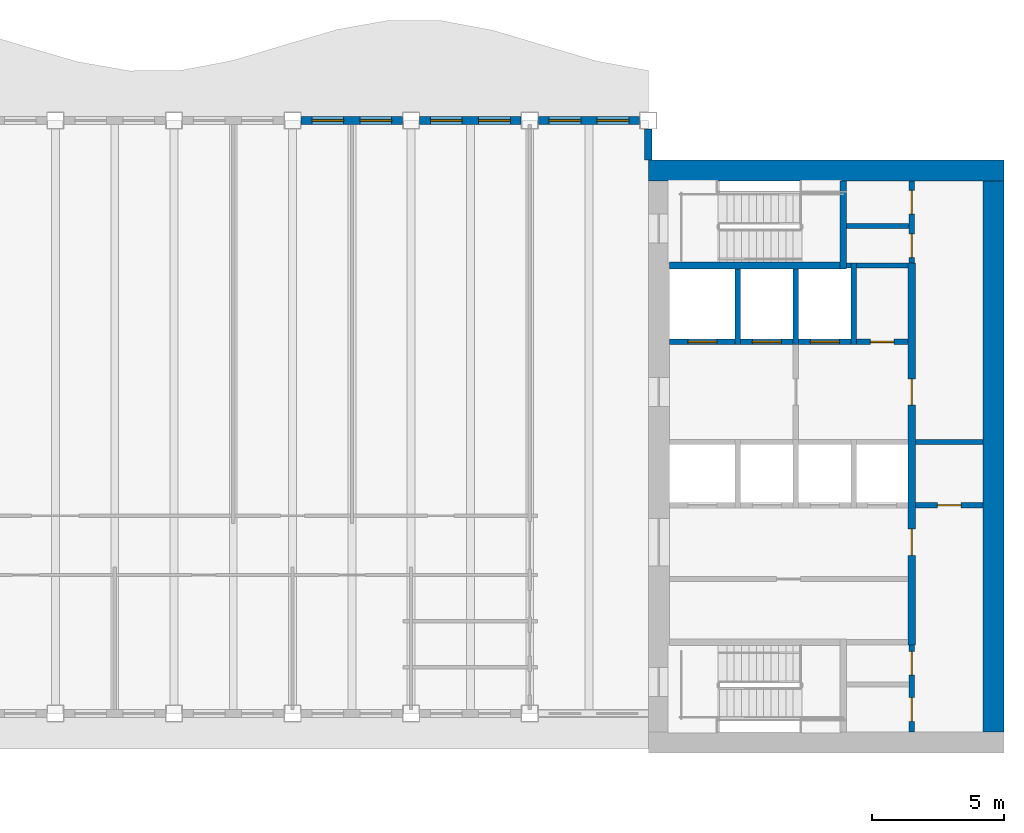
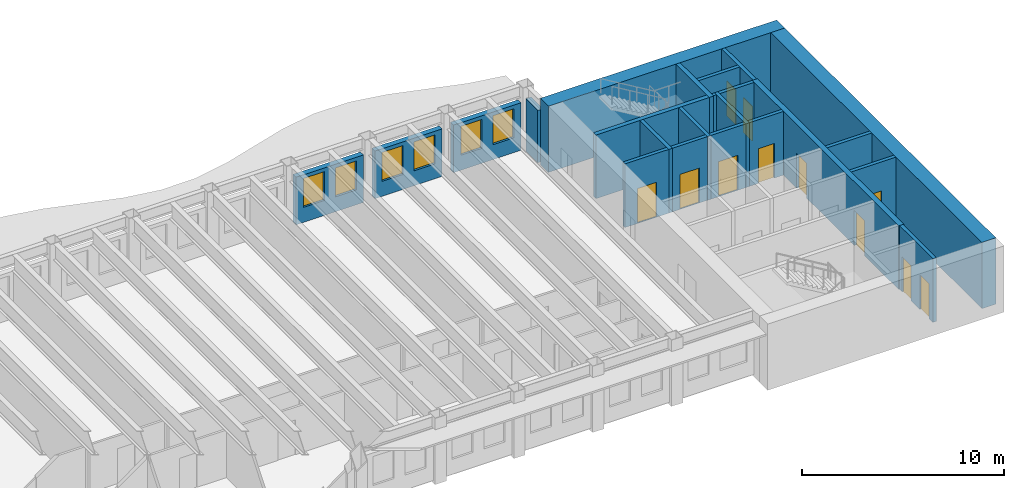
# One storey, part 6 of 12: 23 walls, 11 doors, 6 windows, 17 openings.
"""IFC4 building model written with IfcOpenShell, lengths in metres."""

from ifc_helpers import new_model, si_unit, direction, frame, frame_2d, origin, place, context, subcontext, project, spatial, rectangle, extrude, material, layer, layer_set, type_object, element, fill, save


model = new_model("IFC4")

# Units and contexts
model_context = context("Model", 3, precision=1e-05, world=origin(), true_north=direction((0.0, 1.0)))
body_context = subcontext(model_context, "Body", "Model", "MODEL_VIEW")
ifc_project = project(units=[si_unit("LENGTHUNIT", "METRE"), si_unit("AREAUNIT", "SQUARE_METRE"), si_unit("VOLUMEUNIT", "CUBIC_METRE"), si_unit("PLANEANGLEUNIT", "RADIAN"), si_unit("MASSUNIT", "GRAM", prefix="KILO")], contexts=[model_context])

# Site, building, storey
site_placement = place(None, origin())
site = spatial("IfcSite", under=ifc_project, at=site_placement, CompositionType="ELEMENT")
building_placement = place(site_placement, origin())
building = spatial("IfcBuilding", under=site, at=building_placement, Name="Sennacour Bend Tower", CompositionType="ELEMENT")
storey_placement = place(building_placement, frame((0.0, 0.0, 277.0)))
storey = spatial("IfcBuildingStorey", under=building, at=storey_placement, Name="L64", CompositionType="ELEMENT", Elevation=277.0)

# Walls
ifc_material_1 = material(Name="Concrete C50/60", Category="concrete")
ifc_layer_1 = layer(ifc_material_1, 0.800048828125, Name="Concrete C50/60", Category="concrete")
ifc_layer_set_1 = layer_set([ifc_layer_1], Name="Concrete C50/60")
wall_type_1 = type_object("IfcWallType", Name="Core wall 800 C50/60", PredefinedType="SHEAR", material=ifc_layer_set_1)
wall_1_placement = place(storey_placement, frame((54.0, 22.10009765625, -0.14990234375), z_axis=(0.0, 0.0, 1.0), x_axis=(1.0, 0.0, 0.0)))
element("IfcWall", 1, at=wall_1_placement, inside=storey, type_object=wall_type_1, Name="Core A wall L64 N", PredefinedType="SHEAR", context=body_context, shape_type="SweptSolid", body=[
    extrude(rectangle(XDim=13.5, YDim=0.800048828125, at=frame_2d((6.75, 0.0))), origin(), (0.0, 0.0, 1.0), 4.0),
])
wall_2_placement = place(storey_placement, frame((67.10009765625, 0.800048828125, -0.14990234375), z_axis=(0.0, 0.0, 1.0), x_axis=(0.0, 1.0, 0.0)))
element("IfcWall", 2, at=wall_2_placement, inside=storey, type_object=wall_type_1, Name="Core A wall L64 E", PredefinedType="SHEAR", context=body_context, shape_type="SweptSolid", body=[
    extrude(rectangle(XDim=20.89990234375, YDim=0.800048828125, at=frame_2d((10.449951171875, 0.0))), origin(), (0.0, 0.0, 1.0), 4.0),
])

# Wall, openings, doors
ifc_material_2 = material(Name="Fire-rated plasterboard partition on steel studs", Category="steel")
ifc_layer_2 = layer(ifc_material_2, 0.199951171875, Name="Fire-rated plasterboard partition on steel studs", Category="steel")
ifc_layer_set_2 = layer_set([ifc_layer_2], Name="Fire-rated plasterboard partition on steel studs")
wall_type_2 = type_object("IfcWallType", Name="Rated partition 200", PredefinedType="PARTITIONING", material=ifc_layer_set_2)
wall_3_placement = place(storey_placement, frame((64.0, 0.800048828125, 0.0), z_axis=(0.0, 0.0, 1.0), x_axis=(0.0, 1.0, 0.0)))
wall_3 = element("IfcWall", 3, at=wall_3_placement, inside=storey, type_object=wall_type_2, Name="P-L64-W029", PredefinedType="PARTITIONING", context=body_context, shape_type="SweptSolid", body=[
    extrude(rectangle(XDim=3.300048828125, YDim=0.199951171875, at=frame_2d((1.64990234375, 0.0))), origin(), (0.0, 0.0, 1.0), 3.85009765625),
])
opening_1_placement = place(wall_3_placement, frame((0.39990234375, 0.0, 0.0)))
opening_1 = element("IfcOpeningElement", 4, at=opening_1_placement, cuts=wall_3, Name="Opening SV", PredefinedType="OPENING", context=body_context, shape_type="SweptSolid", body=[
    extrude(rectangle(XDim=0.89990234375, YDim=2.10009765625, at=frame_2d((0.449951171875, 1.050048828125))), frame((0.0, 0.10986328125, 0.0), z_axis=(0.0, -1.0, 0.0), x_axis=(1.0, 0.0, 0.0)), (0.0, 0.0, 1.0), 0.219970703125),
])
opening_2_placement = place(wall_3_placement, frame((2.14990234375, 0.0, 0.0)))
opening_2 = element("IfcOpeningElement", 5, at=opening_2_placement, cuts=wall_3, Name="Opening WD", PredefinedType="OPENING", context=body_context, shape_type="SweptSolid", body=[
    extrude(rectangle(XDim=0.89990234375, YDim=2.10009765625, at=frame_2d((0.449951171875, 1.050048828125))), frame((0.0, 0.10986328125, 0.0), z_axis=(0.0, -1.0, 0.0), x_axis=(1.0, 0.0, 0.0)), (0.0, 0.0, 1.0), 0.219970703125),
])
ifc_material_3 = material(Name="Painted steel", Category="steel")
door_type_1 = type_object("IfcDoorType", Name="DR-SERVICE-900", OperationType="NOTDEFINED", PredefinedType="DOOR", material=ifc_material_3)
door_1_placement = place(opening_1_placement, origin())
door_1 = element("IfcDoor", 6, at=door_1_placement, inside=storey, type_object=door_type_1, Name="Door", OperationType="SINGLE_SWING_LEFT", OverallHeight=2.10009765625, OverallWidth=0.89990234375, PredefinedType="DOOR", context=body_context, shape_type="SweptSolid", body=[
    extrude(rectangle(XDim=0.89990234375, YDim=2.10009765625, at=frame_2d((0.449951171875, 1.050048828125))), frame((0.0, 0.02490234375, 0.0), z_axis=(0.0, -1.0, 0.0), x_axis=(1.0, 0.0, 0.0)), (0.0, 0.0, 1.0), 0.050048828125),
])
fill(opening_1, door_1)
ifc_material_4 = material(Name="Timber", Category="wood")
door_type_2 = type_object("IfcDoorType", Name="DR-WC-900", OperationType="NOTDEFINED", PredefinedType="DOOR", material=ifc_material_4)
door_2_placement = place(opening_2_placement, origin())
door_2 = element("IfcDoor", 7, at=door_2_placement, inside=storey, type_object=door_type_2, Name="Door", OperationType="SINGLE_SWING_RIGHT", OverallHeight=2.10009765625, OverallWidth=0.89990234375, PredefinedType="DOOR", context=body_context, shape_type="SweptSolid", body=[
    extrude(rectangle(XDim=0.89990234375, YDim=2.10009765625, at=frame_2d((0.449951171875, 1.050048828125))), frame((0.0, 0.02490234375, 0.0), z_axis=(0.0, -1.0, 0.0), x_axis=(1.0, 0.0, 0.0)), (0.0, 0.0, 1.0), 0.050048828125),
])
fill(opening_2, door_2)

wall_4_placement = place(storey_placement, frame((64.0, 18.60009765625, 0.0), z_axis=(0.0, 0.0, 1.0), x_axis=(0.0, 1.0, 0.0)))
wall_4 = element("IfcWall", 8, at=wall_4_placement, inside=storey, type_object=wall_type_2, Name="P-L64-W031", PredefinedType="PARTITIONING", context=body_context, shape_type="SweptSolid", body=[
    extrude(rectangle(XDim=3.099853515625, YDim=0.199951171875, at=frame_2d((1.5498046875, 0.0))), origin(), (0.0, 0.0, 1.0), 3.85009765625),
])
opening_3_placement = place(wall_4_placement, frame((0.199951171875, 0.0, 0.0)))
opening_3 = element("IfcOpeningElement", 9, at=opening_3_placement, cuts=wall_4, Name="Opening SV", PredefinedType="OPENING", context=body_context, shape_type="SweptSolid", body=[
    extrude(rectangle(XDim=0.89990234375, YDim=2.10009765625, at=frame_2d((0.449951171875, 1.050048828125))), frame((0.0, 0.10986328125, 0.0), z_axis=(0.0, -1.0, 0.0), x_axis=(1.0, 0.0, 0.0)), (0.0, 0.0, 1.0), 0.219970703125),
])
opening_4_placement = place(wall_4_placement, frame((1.849853515625, 0.0, 0.0)))
opening_4 = element("IfcOpeningElement", 10, at=opening_4_placement, cuts=wall_4, Name="Opening SV", PredefinedType="OPENING", context=body_context, shape_type="SweptSolid", body=[
    extrude(rectangle(XDim=0.89990234375, YDim=2.10009765625, at=frame_2d((0.449951171875, 1.050048828125))), frame((0.0, 0.10986328125, 0.0), z_axis=(0.0, -1.0, 0.0), x_axis=(1.0, 0.0, 0.0)), (0.0, 0.0, 1.0), 0.219970703125),
])
door_3_placement = place(opening_3_placement, origin())
door_3 = element("IfcDoor", 11, at=door_3_placement, inside=storey, type_object=door_type_1, Name="Door", OperationType="SINGLE_SWING_LEFT", OverallHeight=2.10009765625, OverallWidth=0.89990234375, PredefinedType="DOOR", context=body_context, shape_type="SweptSolid", body=[
    extrude(rectangle(XDim=0.89990234375, YDim=2.10009765625, at=frame_2d((0.449951171875, 1.050048828125))), frame((0.0, 0.02490234375, 0.0), z_axis=(0.0, -1.0, 0.0), x_axis=(1.0, 0.0, 0.0)), (0.0, 0.0, 1.0), 0.050048828125),
])
fill(opening_3, door_3)
door_4_placement = place(opening_4_placement, origin())
door_4 = element("IfcDoor", 12, at=door_4_placement, inside=storey, type_object=door_type_1, Name="Door", OperationType="SINGLE_SWING_RIGHT", OverallHeight=2.10009765625, OverallWidth=0.89990234375, PredefinedType="DOOR", context=body_context, shape_type="SweptSolid", body=[
    extrude(rectangle(XDim=0.89990234375, YDim=2.10009765625, at=frame_2d((0.449951171875, 1.050048828125))), frame((0.0, 0.02490234375, 0.0), z_axis=(0.0, -1.0, 0.0), x_axis=(1.0, 0.0, 0.0)), (0.0, 0.0, 1.0), 0.050048828125),
])
fill(opening_4, door_4)

# Wall, opening, door
wall_5_placement = place(storey_placement, frame((64.14990234375, 9.39990234375, 0.0), z_axis=(0.0, 0.0, 1.0), x_axis=(1.0, 0.0, 0.0)))
wall_5 = element("IfcWall", 13, at=wall_5_placement, inside=storey, type_object=wall_type_2, Name="P-L64-W046", PredefinedType="PARTITIONING", context=body_context, shape_type="SweptSolid", body=[
    extrude(rectangle(XDim=2.550048828125, YDim=0.199951171875, at=frame_2d((1.27490234375, 0.0))), origin(), (0.0, 0.0, 1.0), 3.85009765625),
])
opening_5_placement = place(wall_5_placement, frame((0.8251953125, 0.0, 0.0)))
opening_5 = element("IfcOpeningElement", 14, at=opening_5_placement, cuts=wall_5, Name="Opening SV", PredefinedType="OPENING", context=body_context, shape_type="SweptSolid", body=[
    extrude(rectangle(XDim=0.89990234375, YDim=2.10009765625, at=frame_2d((0.449951171875, 1.050048828125))), frame((0.0, 0.10986328125, 0.0), z_axis=(0.0, -1.0, 0.0), x_axis=(1.0, 0.0, 0.0)), (0.0, 0.0, 1.0), 0.219970703125),
])
door_5_placement = place(opening_5_placement, origin())
door_5 = element("IfcDoor", 15, at=door_5_placement, inside=storey, type_object=door_type_1, Name="Door", OperationType="SINGLE_SWING_LEFT", OverallHeight=2.10009765625, OverallWidth=0.89990234375, PredefinedType="DOOR", context=body_context, shape_type="SweptSolid", body=[
    extrude(rectangle(XDim=0.89990234375, YDim=2.10009765625, at=frame_2d((0.449951171875, 1.050048828125))), frame((0.0, 0.02490234375, 0.0), z_axis=(0.0, -1.0, 0.0), x_axis=(1.0, 0.0, 0.0)), (0.0, 0.0, 1.0), 0.050048828125),
])
fill(opening_5, door_5)

# Wall
wall_6_placement = place(storey_placement, frame((64.14990234375, 11.800048828125, 0.0), z_axis=(0.0, 0.0, 1.0), x_axis=(1.0, 0.0, 0.0)))
element("IfcWall", 16, at=wall_6_placement, inside=storey, type_object=wall_type_2, Name="P-L64-W048", PredefinedType="PARTITIONING", context=body_context, shape_type="SweptSolid", body=[
    extrude(rectangle(XDim=2.550048828125, YDim=0.199951171875, at=frame_2d((1.27490234375, 0.0))), origin(), (0.0, 0.0, 1.0), 3.85009765625),
])

# Wall, opening, door
wall_7_placement = place(storey_placement, frame((61.89990234375, 15.60009765625, 0.0), z_axis=(0.0, 0.0, 1.0), x_axis=(1.0, 0.0, 0.0)))
wall_7 = element("IfcWall", 17, at=wall_7_placement, inside=storey, type_object=wall_type_2, Name="P-L64-W050", PredefinedType="PARTITIONING", context=body_context, shape_type="SweptSolid", body=[
    extrude(rectangle(XDim=1.9501953125, YDim=0.199951171875, at=frame_2d((0.97509765625, 0.0))), origin(), (0.0, 0.0, 1.0), 3.85009765625),
])
opening_6_placement = place(wall_7_placement, frame((0.525146484375, 0.0, 0.0)))
opening_6 = element("IfcOpeningElement", 18, at=opening_6_placement, cuts=wall_7, Name="Opening SV", PredefinedType="OPENING", context=body_context, shape_type="SweptSolid", body=[
    extrude(rectangle(XDim=0.89990234375, YDim=2.10009765625, at=frame_2d((0.449951171875, 1.050048828125))), frame((0.0, 0.10986328125, 0.0), z_axis=(0.0, -1.0, 0.0), x_axis=(1.0, 0.0, 0.0)), (0.0, 0.0, 1.0), 0.219970703125),
])
door_6_placement = place(opening_6_placement, origin())
door_6 = element("IfcDoor", 19, at=door_6_placement, inside=storey, type_object=door_type_1, Name="Door", OperationType="SINGLE_SWING_LEFT", OverallHeight=2.10009765625, OverallWidth=0.89990234375, PredefinedType="DOOR", context=body_context, shape_type="SweptSolid", body=[
    extrude(rectangle(XDim=0.89990234375, YDim=2.10009765625, at=frame_2d((0.449951171875, 1.050048828125))), frame((0.0, 0.02490234375, 0.0), z_axis=(0.0, -1.0, 0.0), x_axis=(1.0, 0.0, 0.0)), (0.0, 0.0, 1.0), 0.050048828125),
])
fill(opening_6, door_6)

# Walls
wall_8_placement = place(storey_placement, frame((61.89990234375, 18.5, 0.0), z_axis=(0.0, 0.0, 1.0), x_axis=(1.0, 0.0, 0.0)))
element("IfcWall", 20, at=wall_8_placement, inside=storey, type_object=wall_type_2, Name="P-L64-W053", PredefinedType="PARTITIONING", context=body_context, shape_type="SweptSolid", body=[
    extrude(rectangle(XDim=1.9501953125, YDim=0.199951171875, at=frame_2d((0.97509765625, 0.0))), origin(), (0.0, 0.0, 1.0), 3.85009765625),
])
wall_9_placement = place(storey_placement, frame((61.52490234375, 20.0, 0.0), z_axis=(0.0, 0.0, 1.0), x_axis=(1.0, 0.0, 0.0)))
element("IfcWall", 21, at=wall_9_placement, inside=storey, type_object=wall_type_2, Name="P-L64-W054", PredefinedType="PARTITIONING", context=body_context, shape_type="SweptSolid", body=[
    extrude(rectangle(XDim=2.375, YDim=0.199951171875, at=frame_2d((1.1875, 0.0))), origin(), (0.0, 0.0, 1.0), 3.85009765625),
])
ifc_material_5 = material(Name="Warm limestone cladding", Category="masonry")
ifc_layer_3 = layer(ifc_material_5, 0.050048828125, Name="Warm limestone cladding", Category="masonry")
ifc_material_6 = material(Name="Precast concrete C40/50", Category="concrete")
ifc_layer_4 = layer(ifc_material_6, 0.25, Name="Precast concrete C40/50", Category="concrete")
ifc_layer_set_3 = layer_set([ifc_layer_3, ifc_layer_4], Name="Precast concrete C40/50 with limestone cladding")
wall_type_3 = type_object("IfcWallType", Name="STONE-CLAD PRECAST SPANDREL 300", PredefinedType="STANDARD", material=ifc_layer_set_3)
wall_10_placement = place(storey_placement, frame((54.0, 22.5, 0.0), z_axis=(0.0, 0.0, 1.0), x_axis=(0.0, 1.0, 0.0)))
element("IfcWall", 22, at=wall_10_placement, inside=storey, type_object=wall_type_3, Name="Stone spandrel and pier wall L64 06.00", PredefinedType="STANDARD", context=body_context, shape_type="SweptSolid", body=[
    extrude(rectangle(XDim=1.175048828125, YDim=0.300048828125, at=frame_2d((0.58740234375, 0.0))), origin(), (0.0, 0.0, 1.0), 3.162109375),
])

# Wall, openings, windows
wall_11_placement = place(storey_placement, frame((53.675048828125, 24.0, 0.0), z_axis=(0.0, 0.0, 1.0), x_axis=(-1.0, 0.0, 0.0)))
wall_11 = element("IfcWall", 23, at=wall_11_placement, inside=storey, type_object=wall_type_3, Name="Stone spandrel and pier wall L64 07.00", PredefinedType="STANDARD", context=body_context, shape_type="SweptSolid", body=[
    extrude(rectangle(XDim=3.85009765625, YDim=0.300048828125, at=frame_2d((1.925048828125, 0.0))), origin(), (0.0, 0.0, 1.0), 2.8701171875),
])
opening_7_placement = place(wall_11_placement, frame((0.41259765625, 0.0, 0.89990234375)))
opening_7 = element("IfcOpeningElement", 24, at=opening_7_placement, cuts=wall_11, Name="Opening W16", PredefinedType="OPENING", context=body_context, shape_type="SweptSolid", body=[
    extrude(rectangle(XDim=1.199951171875, YDim=1.75, at=frame_2d((0.60009765625, 0.875))), frame((0.0, 0.16015625, 0.0), z_axis=(0.0, -1.0, 0.0), x_axis=(1.0, 0.0, 0.0)), (0.0, 0.0, 1.0), 0.320068359375),
])
opening_8_placement = place(wall_11_placement, frame((2.237548828125, 0.0, 0.89990234375)))
opening_8 = element("IfcOpeningElement", 25, at=opening_8_placement, cuts=wall_11, Name="Opening W16", PredefinedType="OPENING", context=body_context, shape_type="SweptSolid", body=[
    extrude(rectangle(XDim=1.199951171875, YDim=1.75, at=frame_2d((0.60009765625, 0.875))), frame((0.0, 0.16015625, 0.0), z_axis=(0.0, -1.0, 0.0), x_axis=(1.0, 0.0, 0.0)), (0.0, 0.0, 1.0), 0.320068359375),
])
ifc_material_7 = material(Name="Clear low-emissivity glass", Category="glass")
window_type = type_object("IfcWindowType", Name="WIN-RIBBON-1200x1750", PartitioningType="SINGLE_PANEL", PredefinedType="WINDOW", material=ifc_material_7)
window_1_placement = place(opening_7_placement, origin())
window_1 = element("IfcWindow", 26, at=window_1_placement, inside=storey, type_object=window_type, Name="Ribbon window L64 07.00.0", OverallHeight=1.75, OverallWidth=1.199951171875, PartitioningType="SINGLE_PANEL", PredefinedType="WINDOW", context=body_context, shape_type="SweptSolid", body=[
    extrude(rectangle(XDim=1.199951171875, YDim=1.75, at=frame_2d((0.60009765625, 0.875))), frame((0.0, 0.030029296875, 0.0), z_axis=(0.0, -1.0, 0.0), x_axis=(1.0, 0.0, 0.0)), (0.0, 0.0, 1.0), 0.06005859375),
])
fill(opening_7, window_1)
window_2_placement = place(opening_8_placement, origin())
window_2 = element("IfcWindow", 27, at=window_2_placement, inside=storey, type_object=window_type, Name="Ribbon window L64 07.00.1", OverallHeight=1.75, OverallWidth=1.199951171875, PartitioningType="SINGLE_PANEL", PredefinedType="WINDOW", context=body_context, shape_type="SweptSolid", body=[
    extrude(rectangle(XDim=1.199951171875, YDim=1.75, at=frame_2d((0.60009765625, 0.875))), frame((0.0, 0.030029296875, 0.0), z_axis=(0.0, -1.0, 0.0), x_axis=(1.0, 0.0, 0.0)), (0.0, 0.0, 1.0), 0.06005859375),
])
fill(opening_8, window_2)

wall_12_placement = place(storey_placement, frame((49.175048828125, 24.0, 0.0), z_axis=(0.0, 0.0, 1.0), x_axis=(-1.0, 0.0, 0.0)))
wall_12 = element("IfcWall", 28, at=wall_12_placement, inside=storey, type_object=wall_type_3, Name="Stone spandrel and pier wall L64 07.01", PredefinedType="STANDARD", context=body_context, shape_type="SweptSolid", body=[
    extrude(rectangle(XDim=3.85009765625, YDim=0.300048828125, at=frame_2d((1.925048828125, 0.0))), origin(), (0.0, 0.0, 1.0), 2.8701171875),
])
opening_9_placement = place(wall_12_placement, frame((0.41259765625, 0.0, 0.89990234375)))
opening_9 = element("IfcOpeningElement", 29, at=opening_9_placement, cuts=wall_12, Name="Opening W16", PredefinedType="OPENING", context=body_context, shape_type="SweptSolid", body=[
    extrude(rectangle(XDim=1.199951171875, YDim=1.75, at=frame_2d((0.60009765625, 0.875))), frame((0.0, 0.16015625, 0.0), z_axis=(0.0, -1.0, 0.0), x_axis=(1.0, 0.0, 0.0)), (0.0, 0.0, 1.0), 0.320068359375),
])
opening_10_placement = place(wall_12_placement, frame((2.237548828125, 0.0, 0.89990234375)))
opening_10 = element("IfcOpeningElement", 30, at=opening_10_placement, cuts=wall_12, Name="Opening W16", PredefinedType="OPENING", context=body_context, shape_type="SweptSolid", body=[
    extrude(rectangle(XDim=1.199951171875, YDim=1.75, at=frame_2d((0.60009765625, 0.875))), frame((0.0, 0.16015625, 0.0), z_axis=(0.0, -1.0, 0.0), x_axis=(1.0, 0.0, 0.0)), (0.0, 0.0, 1.0), 0.320068359375),
])
window_3_placement = place(opening_9_placement, origin())
window_3 = element("IfcWindow", 31, at=window_3_placement, inside=storey, type_object=window_type, Name="Ribbon window L64 07.01.0", OverallHeight=1.75, OverallWidth=1.199951171875, PartitioningType="SINGLE_PANEL", PredefinedType="WINDOW", context=body_context, shape_type="SweptSolid", body=[
    extrude(rectangle(XDim=1.199951171875, YDim=1.75, at=frame_2d((0.60009765625, 0.875))), frame((0.0, 0.030029296875, 0.0), z_axis=(0.0, -1.0, 0.0), x_axis=(1.0, 0.0, 0.0)), (0.0, 0.0, 1.0), 0.06005859375),
])
fill(opening_9, window_3)
window_4_placement = place(opening_10_placement, origin())
window_4 = element("IfcWindow", 32, at=window_4_placement, inside=storey, type_object=window_type, Name="Ribbon window L64 07.01.1", OverallHeight=1.75, OverallWidth=1.199951171875, PartitioningType="SINGLE_PANEL", PredefinedType="WINDOW", context=body_context, shape_type="SweptSolid", body=[
    extrude(rectangle(XDim=1.199951171875, YDim=1.75, at=frame_2d((0.60009765625, 0.875))), frame((0.0, 0.030029296875, 0.0), z_axis=(0.0, -1.0, 0.0), x_axis=(1.0, 0.0, 0.0)), (0.0, 0.0, 1.0), 0.06005859375),
])
fill(opening_10, window_4)

wall_13_placement = place(storey_placement, frame((44.675048828125, 24.0, 0.0), z_axis=(0.0, 0.0, 1.0), x_axis=(-1.0, 0.0, 0.0)))
wall_13 = element("IfcWall", 33, at=wall_13_placement, inside=storey, type_object=wall_type_3, Name="Stone spandrel and pier wall L64 07.02", PredefinedType="STANDARD", context=body_context, shape_type="SweptSolid", body=[
    extrude(rectangle(XDim=3.85009765625, YDim=0.300048828125, at=frame_2d((1.925048828125, 0.0))), origin(), (0.0, 0.0, 1.0), 2.8701171875),
])
opening_11_placement = place(wall_13_placement, frame((0.41259765625, 0.0, 0.89990234375)))
opening_11 = element("IfcOpeningElement", 34, at=opening_11_placement, cuts=wall_13, Name="Opening W16", PredefinedType="OPENING", context=body_context, shape_type="SweptSolid", body=[
    extrude(rectangle(XDim=1.199951171875, YDim=1.75, at=frame_2d((0.60009765625, 0.875))), frame((0.0, 0.16015625, 0.0), z_axis=(0.0, -1.0, 0.0), x_axis=(1.0, 0.0, 0.0)), (0.0, 0.0, 1.0), 0.320068359375),
])
opening_12_placement = place(wall_13_placement, frame((2.237548828125, 0.0, 0.89990234375)))
opening_12 = element("IfcOpeningElement", 35, at=opening_12_placement, cuts=wall_13, Name="Opening W16", PredefinedType="OPENING", context=body_context, shape_type="SweptSolid", body=[
    extrude(rectangle(XDim=1.199951171875, YDim=1.75, at=frame_2d((0.60009765625, 0.875))), frame((0.0, 0.16015625, 0.0), z_axis=(0.0, -1.0, 0.0), x_axis=(1.0, 0.0, 0.0)), (0.0, 0.0, 1.0), 0.320068359375),
])
window_5_placement = place(opening_11_placement, origin())
window_5 = element("IfcWindow", 36, at=window_5_placement, inside=storey, type_object=window_type, Name="Ribbon window L64 07.02.0", OverallHeight=1.75, OverallWidth=1.199951171875, PartitioningType="SINGLE_PANEL", PredefinedType="WINDOW", context=body_context, shape_type="SweptSolid", body=[
    extrude(rectangle(XDim=1.199951171875, YDim=1.75, at=frame_2d((0.60009765625, 0.875))), frame((0.0, 0.030029296875, 0.0), z_axis=(0.0, -1.0, 0.0), x_axis=(1.0, 0.0, 0.0)), (0.0, 0.0, 1.0), 0.06005859375),
])
fill(opening_11, window_5)
window_6_placement = place(opening_12_placement, origin())
window_6 = element("IfcWindow", 37, at=window_6_placement, inside=storey, type_object=window_type, Name="Ribbon window L64 07.02.1", OverallHeight=1.75, OverallWidth=1.199951171875, PartitioningType="SINGLE_PANEL", PredefinedType="WINDOW", context=body_context, shape_type="SweptSolid", body=[
    extrude(rectangle(XDim=1.199951171875, YDim=1.75, at=frame_2d((0.60009765625, 0.875))), frame((0.0, 0.030029296875, 0.0), z_axis=(0.0, -1.0, 0.0), x_axis=(1.0, 0.0, 0.0)), (0.0, 0.0, 1.0), 0.06005859375),
])
fill(opening_12, window_6)

# Walls
ifc_layer_5 = layer(ifc_material_1, 0.199951171875, Name="Concrete C50/60", Category="concrete")
ifc_layer_set_4 = layer_set([ifc_layer_5], Name="Concrete C50/60")
wall_type_4 = type_object("IfcWallType", Name="Shaft wall 200", PredefinedType="SOLIDWALL", material=ifc_layer_set_4)
for number, where, z_axis, x_axis, name in (
    (38, (57.39990234375, 15.5, 0.0), (0.0, 0.0, 1.0), (0.0, 1.0, 0.0), "P-L64-W021"),
    (39, (59.60009765625, 15.5, 0.0), (0.0, 0.0, 1.0), (0.0, 1.0, 0.0), "P-L64-W024"),
):
    element("IfcWall", number, at=place(storey_placement, frame(where, z_axis=z_axis, x_axis=x_axis)), inside=storey, type_object=wall_type_4, Name=name, PredefinedType="SOLIDWALL", context=body_context, shape_type="SweptSolid", body=[
        extrude(rectangle(XDim=2.875, YDim=0.199951171875, at=frame_2d((1.4375, 0.0))), origin(), (0.0, 0.0, 1.0), 3.85009765625),
    ])
wall_14_placement = place(storey_placement, frame((61.800048828125, 15.5, 0.0), z_axis=(0.0, 0.0, 1.0), x_axis=(0.0, 1.0, 0.0)))
element("IfcWall", 40, at=wall_14_placement, inside=storey, type_object=wall_type_4, Name="P-L64-W028", PredefinedType="SOLIDWALL", context=body_context, shape_type="SweptSolid", body=[
    extrude(rectangle(XDim=3.10009765625, YDim=0.199951171875, at=frame_2d((1.550048828125, 0.0))), origin(), (0.0, 0.0, 1.0), 3.85009765625),
])

# Wall, opening, door
wall_15_placement = place(storey_placement, frame((54.800048828125, 15.60009765625, 0.0), z_axis=(0.0, 0.0, 1.0), x_axis=(1.0, 0.0, 0.0)))
wall_15 = element("IfcWall", 41, at=wall_15_placement, inside=storey, type_object=wall_type_4, Name="P-L64-W049a", PredefinedType="SOLIDWALL", context=body_context, shape_type="SweptSolid", body=[
    extrude(rectangle(XDim=2.5, YDim=0.199951171875, at=frame_2d((1.25, 0.0))), origin(), (0.0, 0.0, 1.0), 3.85009765625),
])
opening_13_placement = place(wall_15_placement, frame((0.699951171875, 0.0, 0.011962890625)))
opening_13 = element("IfcOpeningElement", 42, at=opening_13_placement, cuts=wall_15, Name="Opening FLD", PredefinedType="OPENING", context=body_context, shape_type="SweptSolid", body=[
    extrude(rectangle(XDim=1.10009765625, YDim=2.10009765625, at=frame_2d((0.550048828125, 1.050048828125))), frame((0.0, 0.10986328125, 0.0), z_axis=(0.0, -1.0, 0.0), x_axis=(1.0, 0.0, 0.0)), (0.0, 0.0, 1.0), 0.219970703125),
])
ifc_material_8 = material(Name="Stainless steel", Category="steel")
door_type_3 = type_object("IfcDoorType", Name="DR-FF-LANDING-1100", OperationType="NOTDEFINED", PredefinedType="DOOR", material=ifc_material_8)
door_7_placement = place(opening_13_placement, origin())
door_7 = element("IfcDoor", 43, at=door_7_placement, inside=storey, type_object=door_type_3, Name="Fire service lift landing door FA1", OperationType="SLIDING_TO_LEFT", OverallHeight=2.10009765625, OverallWidth=1.10009765625, PredefinedType="DOOR", context=body_context, shape_type="SweptSolid", body=[
    extrude(rectangle(XDim=1.10009765625, YDim=2.10009765625, at=frame_2d((0.550048828125, 1.050048828125))), frame((0.0, 0.02490234375, 0.0), z_axis=(0.0, -1.0, 0.0), x_axis=(1.0, 0.0, 0.0)), (0.0, 0.0, 1.0), 0.050048828125),
])
fill(opening_13, door_7)

wall_16_placement = place(storey_placement, frame((57.5, 15.60009765625, 0.0), z_axis=(0.0, 0.0, 1.0), x_axis=(1.0, 0.0, 0.0)))
wall_16 = element("IfcWall", 44, at=wall_16_placement, inside=storey, type_object=wall_type_4, Name="P-L64-W049b", PredefinedType="SOLIDWALL", context=body_context, shape_type="SweptSolid", body=[
    extrude(rectangle(XDim=2.0, YDim=0.199951171875, at=frame_2d((1.0, 0.0))), origin(), (0.0, 0.0, 1.0), 3.85009765625),
])
opening_14_placement = place(wall_16_placement, frame((0.449951171875, 0.0, 0.011962890625)))
opening_14 = element("IfcOpeningElement", 45, at=opening_14_placement, cuts=wall_16, Name="Opening FLD", PredefinedType="OPENING", context=body_context, shape_type="SweptSolid", body=[
    extrude(rectangle(XDim=1.10009765625, YDim=2.10009765625, at=frame_2d((0.550048828125, 1.050048828125))), frame((0.0, 0.10986328125, 0.0), z_axis=(0.0, -1.0, 0.0), x_axis=(1.0, 0.0, 0.0)), (0.0, 0.0, 1.0), 0.219970703125),
])
door_8_placement = place(opening_14_placement, origin())
door_8 = element("IfcDoor", 46, at=door_8_placement, inside=storey, type_object=door_type_3, Name="Fire service lift landing door FA2", OperationType="SLIDING_TO_RIGHT", OverallHeight=2.10009765625, OverallWidth=1.10009765625, PredefinedType="DOOR", context=body_context, shape_type="SweptSolid", body=[
    extrude(rectangle(XDim=1.10009765625, YDim=2.10009765625, at=frame_2d((0.550048828125, 1.050048828125))), frame((0.0, 0.02490234375, 0.0), z_axis=(0.0, -1.0, 0.0), x_axis=(1.0, 0.0, 0.0)), (0.0, 0.0, 1.0), 0.050048828125),
])
fill(opening_14, door_8)

wall_17_placement = place(storey_placement, frame((59.699951171875, 15.60009765625, 0.0), z_axis=(0.0, 0.0, 1.0), x_axis=(1.0, 0.0, 0.0)))
wall_17 = element("IfcWall", 47, at=wall_17_placement, inside=storey, type_object=wall_type_4, Name="P-L64-W049c", PredefinedType="SOLIDWALL", context=body_context, shape_type="SweptSolid", body=[
    extrude(rectangle(XDim=2.0, YDim=0.199951171875, at=frame_2d((1.0, 0.0))), origin(), (0.0, 0.0, 1.0), 3.85009765625),
])
opening_15_placement = place(wall_17_placement, frame((0.449951171875, 0.0, 0.011962890625)))
opening_15 = element("IfcOpeningElement", 48, at=opening_15_placement, cuts=wall_17, Name="Opening LD", PredefinedType="OPENING", context=body_context, shape_type="SweptSolid", body=[
    extrude(rectangle(XDim=1.10009765625, YDim=2.10009765625, at=frame_2d((0.550048828125, 1.050048828125))), frame((0.0, 0.10986328125, 0.0), z_axis=(0.0, -1.0, 0.0), x_axis=(1.0, 0.0, 0.0)), (0.0, 0.0, 1.0), 0.219970703125),
])
door_type_4 = type_object("IfcDoorType", Name="DR-LANDING-1100", OperationType="NOTDEFINED", PredefinedType="DOOR", material=ifc_material_8)
door_9_placement = place(opening_15_placement, origin())
door_9 = element("IfcDoor", 49, at=door_9_placement, inside=storey, type_object=door_type_4, Name="Lift landing door HA5", OperationType="SLIDING_TO_LEFT", OverallHeight=2.10009765625, OverallWidth=1.10009765625, PredefinedType="DOOR", context=body_context, shape_type="SweptSolid", body=[
    extrude(rectangle(XDim=1.10009765625, YDim=2.10009765625, at=frame_2d((0.550048828125, 1.050048828125))), frame((0.0, 0.02490234375, 0.0), z_axis=(0.0, -1.0, 0.0), x_axis=(1.0, 0.0, 0.0)), (0.0, 0.0, 1.0), 0.050048828125),
])
fill(opening_15, door_9)

# Wall
wall_18_placement = place(storey_placement, frame((61.52490234375, 18.5, 0.0), z_axis=(0.0, 0.0, 1.0), x_axis=(1.0, 0.0, 0.0)))
element("IfcWall", 50, at=wall_18_placement, inside=storey, type_object=wall_type_4, Name="P-L64-W052", PredefinedType="SOLIDWALL", context=body_context, shape_type="SweptSolid", body=[
    extrude(rectangle(XDim=0.175048828125, YDim=0.199951171875, at=frame_2d((0.08740234375, 0.0))), origin(), (0.0, 0.0, 1.0), 3.85009765625),
])

# Wall, openings, doors
ifc_material_9 = material(Name="Concrete C60/75", Category="concrete")
ifc_layer_6 = layer(ifc_material_9, 0.300048828125, Name="Concrete C60/75", Category="concrete")
ifc_layer_set_5 = layer_set([ifc_layer_6], Name="Concrete C60/75")
wall_type_5 = type_object("IfcWallType", Name="Spine wall 300", PredefinedType="SHEAR", material=ifc_layer_set_5)
wall_19_placement = place(storey_placement, frame((64.0, 4.10009765625, 0.0), z_axis=(0.0, 0.0, 1.0), x_axis=(0.0, 1.0, 0.0)))
wall_19 = element("IfcWall", 51, at=wall_19_placement, inside=storey, type_object=wall_type_5, Name="P-L64-W030", PredefinedType="SHEAR", context=body_context, shape_type="SweptSolid", body=[
    extrude(rectangle(XDim=14.5, YDim=0.300048828125, at=frame_2d((7.25, 0.0))), origin(), (0.0, 0.0, 1.0), 3.85009765625),
])
opening_16_placement = place(wall_19_placement, frame((3.39990234375, 0.0, 0.0)))
opening_16 = element("IfcOpeningElement", 52, at=opening_16_placement, cuts=wall_19, Name="Opening CD2", PredefinedType="OPENING", context=body_context, shape_type="SweptSolid", body=[
    extrude(rectangle(XDim=1.0, YDim=2.10009765625, at=frame_2d((0.5, 1.050048828125))), frame((0.0, 0.16015625, 0.0), z_axis=(0.0, -1.0, 0.0), x_axis=(1.0, 0.0, 0.0)), (0.0, 0.0, 1.0), 0.320068359375),
])
opening_17_placement = place(wall_19_placement, frame((9.099853515625, 0.0, 0.0)))
opening_17 = element("IfcOpeningElement", 53, at=opening_17_placement, cuts=wall_19, Name="Opening CD2", PredefinedType="OPENING", context=body_context, shape_type="SweptSolid", body=[
    extrude(rectangle(XDim=1.0, YDim=2.10009765625, at=frame_2d((0.5, 1.050048828125))), frame((0.0, 0.16015625, 0.0), z_axis=(0.0, -1.0, 0.0), x_axis=(1.0, 0.0, 0.0)), (0.0, 0.0, 1.0), 0.320068359375),
])
door_type_5 = type_object("IfcDoorType", Name="DR-LOBBY-1000", OperationType="NOTDEFINED", PredefinedType="DOOR", material=ifc_material_3)
door_10_placement = place(opening_16_placement, origin())
door_10 = element("IfcDoor", 54, at=door_10_placement, inside=storey, type_object=door_type_5, Name="Door", OperationType="SINGLE_SWING_LEFT", OverallHeight=2.10009765625, OverallWidth=1.0, PredefinedType="DOOR", context=body_context, shape_type="SweptSolid", body=[
    extrude(rectangle(XDim=1.0, YDim=2.10009765625, at=frame_2d((0.5, 1.050048828125))), frame((0.0, 0.02490234375, 0.0), z_axis=(0.0, -1.0, 0.0), x_axis=(1.0, 0.0, 0.0)), (0.0, 0.0, 1.0), 0.050048828125),
])
fill(opening_16, door_10)
door_11_placement = place(opening_17_placement, origin())
door_11 = element("IfcDoor", 55, at=door_11_placement, inside=storey, type_object=door_type_5, Name="Door", OperationType="SINGLE_SWING_RIGHT", OverallHeight=2.10009765625, OverallWidth=1.0, PredefinedType="DOOR", context=body_context, shape_type="SweptSolid", body=[
    extrude(rectangle(XDim=1.0, YDim=2.10009765625, at=frame_2d((0.5, 1.050048828125))), frame((0.0, 0.02490234375, 0.0), z_axis=(0.0, -1.0, 0.0), x_axis=(1.0, 0.0, 0.0)), (0.0, 0.0, 1.0), 0.050048828125),
])
fill(opening_17, door_11)

# Walls
ifc_layer_7 = layer(ifc_material_9, 0.25, Name="Concrete C60/75", Category="concrete")
ifc_layer_set_6 = layer_set([ifc_layer_7], Name="Concrete C60/75")
wall_type_6 = type_object("IfcWallType", Name="Stair wall 250", PredefinedType="SHEAR", material=ifc_layer_set_6)
wall_20_placement = place(storey_placement, frame((61.39990234375, 18.375, 0.0), z_axis=(0.0, 0.0, 1.0), x_axis=(0.0, 1.0, 0.0)))
element("IfcWall", 56, at=wall_20_placement, inside=storey, type_object=wall_type_6, Name="P-L64-W026", PredefinedType="SHEAR", context=body_context, shape_type="SweptSolid", body=[
    extrude(rectangle(XDim=3.324951171875, YDim=0.25, at=frame_2d((1.66259765625, 0.0))), origin(), (0.0, 0.0, 1.0), 3.85009765625),
])
wall_21_placement = place(storey_placement, frame((54.800048828125, 18.5, 0.0), z_axis=(0.0, 0.0, 1.0), x_axis=(1.0, 0.0, 0.0)))
element("IfcWall", 57, at=wall_21_placement, inside=storey, type_object=wall_type_6, Name="P-L64-W051", PredefinedType="SHEAR", context=body_context, shape_type="SweptSolid", body=[
    extrude(rectangle(XDim=6.474853515625, YDim=0.25, at=frame_2d((3.2373046875, 0.0))), origin(), (0.0, 0.0, 1.0), 3.85009765625),
])

save(model, "model.ifc")
